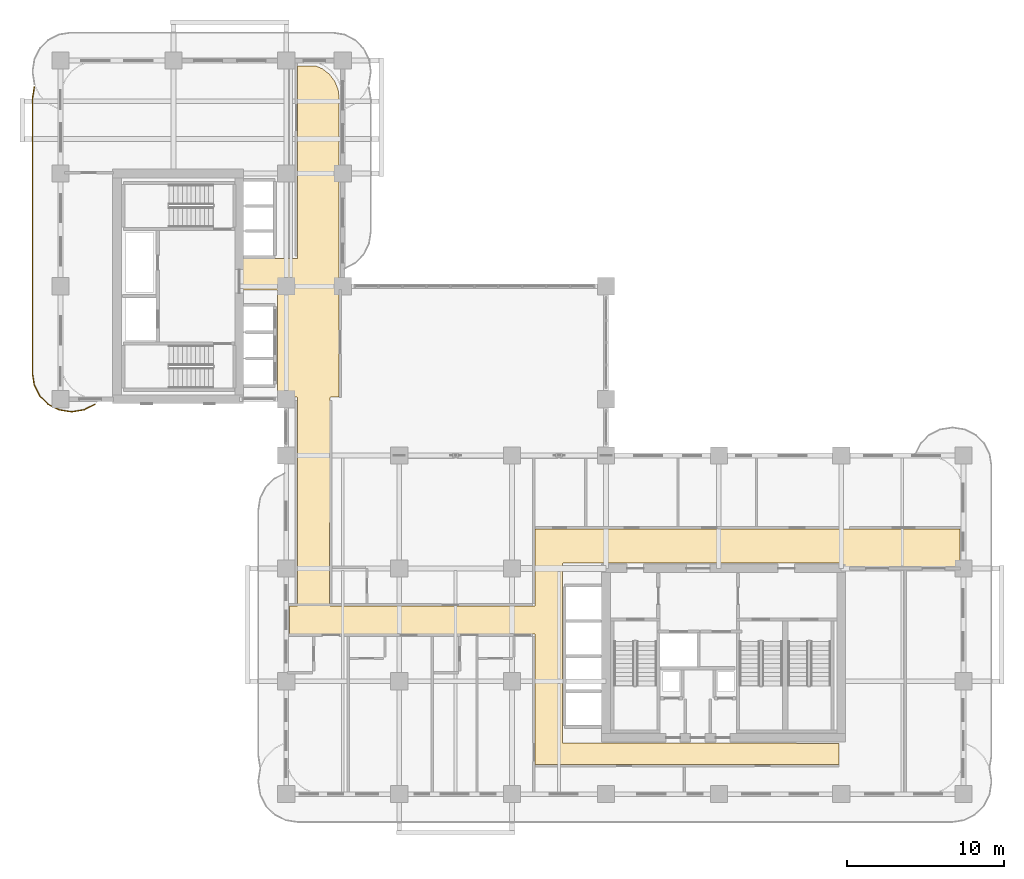
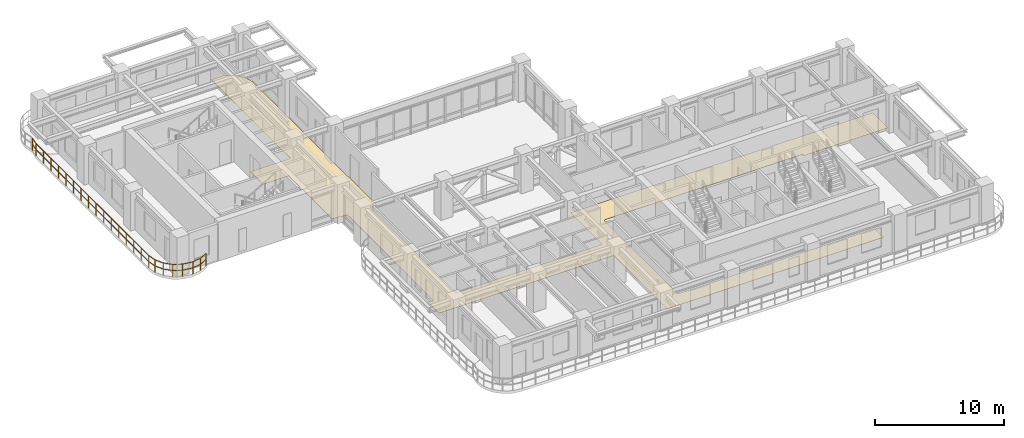
# One storey, part 20 of 21: 1 covering, 1 railing.
"""IFC4 building model written with IfcOpenShell, lengths in metres."""

from ifc_helpers import new_model, si_unit, derived_unit, direction, frame, origin, origin_2d, place, context, subcontext, project, spatial, polyline, rectangle, outline, extrude, material, layer, layer_set, type_object, element, save


model = new_model("IFC4")

# Units and contexts
model_context = context("Model", 3, precision=1e-05, world=origin(), true_north=direction((0.0, 1.0)))
body_context = subcontext(model_context, "Body", "Model", "MODEL_VIEW")
ifc_project = project(units=[si_unit("LENGTHUNIT", "METRE"), si_unit("AREAUNIT", "SQUARE_METRE"), si_unit("VOLUMEUNIT", "CUBIC_METRE"), si_unit("PLANEANGLEUNIT", "RADIAN"), si_unit("MASSUNIT", "GRAM", prefix="KILO"), si_unit("THERMODYNAMICTEMPERATUREUNIT", "KELVIN"), si_unit("POWERUNIT", "WATT"), derived_unit("THERMALTRANSMITTANCEUNIT", [(si_unit("POWERUNIT", "WATT"), 1), (si_unit("AREAUNIT", "SQUARE_METRE"), -1), (si_unit("THERMODYNAMICTEMPERATUREUNIT", "KELVIN"), -1)])], contexts=[model_context])

# Site, building, storey
site_placement = place(None, origin())
site = spatial("IfcSite", under=ifc_project, at=site_placement, CompositionType="ELEMENT")
building_placement = place(site_placement, origin())
building = spatial("IfcBuilding", under=site, at=building_placement, Name="Zahravan Archway Hotel and Residences", CompositionType="ELEMENT")
storey_placement = place(building_placement, frame((0.0, 0.0, 65.699951171875)))
storey = spatial("IfcBuildingStorey", under=building, at=storey_placement, Name="L15", CompositionType="ELEMENT", Elevation=65.699951171875)

# Covering
ifc_material_1 = material(Name="Engineered Walnut Parquet Flooring")
ifc_layer = layer(ifc_material_1, 0.02197265625, Name="Engineered Walnut Parquet Flooring")
ifc_layer_set = layer_set([ifc_layer], Name="Engineered Walnut Parquet Flooring")
covering_type = type_object("IfcCoveringType", Name="COV-FLR-TIMB", PredefinedType="FLOORING", material=ifc_layer_set)
covering_placement = place(storey_placement, origin())
element("IfcCovering", 1, at=covering_placement, inside=storey, type_object=covering_type, Name="L15 Circulation Floor Finish", PredefinedType="FLOORING", context=body_context, shape_type="SweptSolid", body=[
    extrude(outline(polyline([(49.830078125, 14.675048828125), (49.81640625, 14.719482421875), (49.780517578125, 14.748779296875), (32.10009765625, 14.7548828125), (32.0556640625, 14.741455078125), (32.026123046875, 14.70556640625), (32.02001953125, 3.324951171875), (32.033447265625, 3.280517578125), (32.0693359375, 3.251220703125), (49.669921875, 3.2451171875), (49.669921875, 1.8798828125), (30.280029296875, 1.8798828125), (30.280029296875, 10.14990234375), (30.2666015625, 10.1943359375), (30.230712890625, 10.223876953125), (14.6201171875, 10.22998046875), (14.6201171875, 11.989990234375), (15.050048828125, 11.989990234375), (15.094482421875, 12.00341796875), (15.123779296875, 12.039306640625), (15.1298828125, 25.25), (15.116455078125, 25.29443359375), (15.08056640625, 25.323974609375), (14.5771484375, 25.330078125), (14.53955078125, 25.3701171875), (14.503662109375, 25.39404296875), (14.4638671875, 25.410400390625), (14.421630859375, 25.4189453125), (13.830078125, 25.419921875), (13.830078125, 32.10009765625), (13.81640625, 32.144287109375), (13.780517578125, 32.173828125), (11.530029296875, 32.179931640625), (11.530029296875, 34.169921875), (15.050048828125, 34.169921875), (15.094482421875, 34.18359375), (15.123779296875, 34.219482421875), (15.1298828125, 46.469970703125), (16.24560546875, 46.469970703125), (16.689208984375, 46.286376953125), (17.14013671875, 45.940185546875), (17.486328125, 45.489013671875), (17.703857421875, 44.9638671875), (17.77001953125, 44.46142578125), (17.77001953125, 25.330078125), (17.25, 25.330078125), (17.20556640625, 25.31640625), (17.176025390625, 25.280517578125), (17.169921875, 12.070068359375), (17.18359375, 12.025634765625), (17.219482421875, 11.99609375), (30.199951171875, 11.989990234375), (30.244384765625, 12.00341796875), (30.27392578125, 12.039306640625), (30.280029296875, 16.919921875), (57.3798828125, 16.919921875), (57.3798828125, 14.530029296875), (49.830078125, 14.530029296875), (49.830078125, 14.675048828125)])), origin(), (0.0, 0.0, 1.0), 0.02197265625),
])

# Railing
ifc_material_2 = material(Name="Bronze & Laminated Glass Balustrade", Category="glass")
railing_type = type_object("IfcRailingType", Name="RL-BAL-1200", PredefinedType="BALUSTRADE", material=ifc_material_2)
railing_placement = place(storey_placement, frame((2.190185546875, 24.867919921875, 0.0)))
element("IfcRailing", 2, at=railing_placement, inside=storey, type_object=railing_type, Name="L15 Balustrade RL-SLB-BAL-L15-WB-1", PredefinedType="BALUSTRADE", context=body_context, shape_type="SweptSolid", body=[
    extrude(rectangle(XDim=0.048095703125, YDim=0.048095703125, at=origin_2d()), frame((0.0, 0.0, 1.17578125), z_axis=(-0.891090529897, -0.453825591531, 0.0), x_axis=(0.453825591531, -0.891090529897, 0.0)), (0.0, 0.0, 1.0), 0.7666015625),
    extrude(rectangle(XDim=0.048095703125, YDim=0.048095703125, at=origin_2d()), frame((0.0, 0.0, 0.60009765625), z_axis=(-0.891090529897, -0.453825591531, 0.0), x_axis=(0.453825591531, -0.891090529897, 0.0)), (0.0, 0.0, 1.0), 0.7666015625),
    extrude(rectangle(XDim=0.048095703125, YDim=0.048095703125, at=origin_2d()), frame((-0.68310546875, -0.347900390625, 1.17578125), z_axis=(-0.987646484274, -0.156698507018, 0.0), x_axis=(0.156698507018, -0.987646484274, 0.0)), (0.0, 0.0, 1.0), 0.7666015625),
    extrude(rectangle(XDim=0.048095703125, YDim=0.048095703125, at=origin_2d()), frame((-0.68310546875, -0.347900390625, 0.60009765625), z_axis=(-0.987646484274, -0.156698507018, 0.0), x_axis=(0.156698507018, -0.987646484274, 0.0)), (0.0, 0.0, 1.0), 0.7666015625),
    extrude(rectangle(XDim=0.048095703125, YDim=0.048095703125, at=origin_2d()), frame((-1.440185546875, -0.468017578125, 1.17578125), z_axis=(-1.0, 0.0, 0.0), x_axis=(0.0, -1.0, 0.0)), (0.0, 0.0, 1.0), 0.10009765625),
    extrude(rectangle(XDim=0.048095703125, YDim=0.048095703125, at=origin_2d()), frame((-1.440185546875, -0.468017578125, 0.60009765625), z_axis=(-1.0, 0.0, 0.0), x_axis=(0.0, -1.0, 0.0)), (0.0, 0.0, 1.0), 0.10009765625),
    extrude(rectangle(XDim=0.048095703125, YDim=0.048095703125, at=origin_2d()), frame((-1.540283203125, -0.468017578125, 1.17578125), z_axis=(-0.987646484274, 0.156698507018, 0.0), x_axis=(-0.156698507018, -0.987646484274, 0.0)), (0.0, 0.0, 1.0), 0.7666015625),
    extrude(rectangle(XDim=0.048095703125, YDim=0.048095703125, at=origin_2d()), frame((-1.540283203125, -0.468017578125, 0.60009765625), z_axis=(-0.987646484274, 0.156698507018, 0.0), x_axis=(-0.156698507018, -0.987646484274, 0.0)), (0.0, 0.0, 1.0), 0.7666015625),
    extrude(rectangle(XDim=0.048095703125, YDim=0.048095703125, at=origin_2d()), frame((-2.29736328125, -0.347900390625, 1.17578125), z_axis=(-0.891024909783, 0.453954414172, 0.0), x_axis=(-0.453954414172, -0.891024909783, 0.0)), (0.0, 0.0, 1.0), 0.766357421875),
    extrude(rectangle(XDim=0.048095703125, YDim=0.048095703125, at=origin_2d()), frame((-2.29736328125, -0.347900390625, 0.60009765625), z_axis=(-0.891024909783, 0.453954414172, 0.0), x_axis=(-0.453954414172, -0.891024909783, 0.0)), (0.0, 0.0, 1.0), 0.766357421875),
    extrude(rectangle(XDim=0.048095703125, YDim=0.048095703125, at=origin_2d()), frame((-2.980224609375, 0.0, 1.17578125), z_axis=(-0.707106781187, 0.707106781187, 0.0), x_axis=(-0.707106781187, -0.707106781187, 0.0)), (0.0, 0.0, 1.0), 0.7666015625),
    extrude(rectangle(XDim=0.048095703125, YDim=0.048095703125, at=origin_2d()), frame((-2.980224609375, 0.0, 0.60009765625), z_axis=(-0.707106781187, 0.707106781187, 0.0), x_axis=(-0.707106781187, -0.707106781187, 0.0)), (0.0, 0.0, 1.0), 0.7666015625),
    extrude(rectangle(XDim=0.048095703125, YDim=0.048095703125, at=origin_2d()), frame((-3.522216796875, 0.5419921875, 1.17578125), z_axis=(-0.454078418624, 0.890961721815, 0.0), x_axis=(-0.890961721815, -0.454078418624, 0.0)), (0.0, 0.0, 1.0), 0.7666015625),
    extrude(rectangle(XDim=0.048095703125, YDim=0.048095703125, at=origin_2d()), frame((-3.522216796875, 0.5419921875, 0.60009765625), z_axis=(-0.454078418624, 0.890961721815, 0.0), x_axis=(-0.890961721815, -0.454078418624, 0.0)), (0.0, 0.0, 1.0), 0.7666015625),
    extrude(rectangle(XDim=0.048095703125, YDim=0.048095703125, at=origin_2d()), frame((-3.870361328125, 1.22509765625, 1.17578125), z_axis=(-0.156387811283, 0.987695728695, 0.0), x_axis=(-0.987695728695, -0.156387811283, 0.0)), (0.0, 0.0, 1.0), 0.7666015625),
    extrude(rectangle(XDim=0.048095703125, YDim=0.048095703125, at=origin_2d()), frame((-3.870361328125, 1.22509765625, 0.60009765625), z_axis=(-0.156387811283, 0.987695728695, 0.0), x_axis=(-0.987695728695, -0.156387811283, 0.0)), (0.0, 0.0, 1.0), 0.7666015625),
    extrude(rectangle(XDim=0.048095703125, YDim=0.048095703125, at=origin_2d()), frame((-3.990234375, 1.982177734375, 1.17578125), z_axis=(0.0, 1.0, 0.0), x_axis=(-1.0, 0.0, 0.0)), (0.0, 0.0, 1.0), 17.5),
    extrude(rectangle(XDim=0.048095703125, YDim=0.048095703125, at=origin_2d()), frame((-3.990234375, 1.982177734375, 0.60009765625), z_axis=(0.0, 1.0, 0.0), x_axis=(-1.0, 0.0, 0.0)), (0.0, 0.0, 1.0), 17.5),
    extrude(rectangle(XDim=0.048095703125, YDim=0.048095703125, at=origin_2d()), frame((-3.990234375, 19.482177734375, 1.17578125), z_axis=(0.156387811283, 0.987695728695, 0.0), x_axis=(-0.987695728695, 0.156387811283, 0.0)), (0.0, 0.0, 1.0), 0.7666015625),
    extrude(rectangle(XDim=0.048095703125, YDim=0.048095703125, at=origin_2d()), frame((-3.990234375, 19.482177734375, 0.60009765625), z_axis=(0.156387811283, 0.987695728695, 0.0), x_axis=(-0.987695728695, 0.156387811283, 0.0)), (0.0, 0.0, 1.0), 0.7666015625),
    extrude(rectangle(XDim=0.0419921875, YDim=0.0419921875, at=origin_2d()), origin(), (0.0, 0.0, 1.0), 1.15185546875),
    extrude(rectangle(XDim=0.0419921875, YDim=0.0419921875, at=origin_2d()), frame((-0.68310546875, -0.347900390625, 0.0)), (0.0, 0.0, 1.0), 1.15185546875),
    extrude(rectangle(XDim=0.0419921875, YDim=0.0419921875, at=origin_2d()), frame((-1.440185546875, -0.468017578125, 0.0)), (0.0, 0.0, 1.0), 1.15185546875),
    extrude(rectangle(XDim=0.0419921875, YDim=0.0419921875, at=origin_2d()), frame((-2.29736328125, -0.347900390625, 0.0)), (0.0, 0.0, 1.0), 1.15185546875),
    extrude(rectangle(XDim=0.0419921875, YDim=0.0419921875, at=origin_2d()), frame((-2.980224609375, 0.0, 0.0)), (0.0, 0.0, 1.0), 1.15185546875),
    extrude(rectangle(XDim=0.0419921875, YDim=0.0419921875, at=origin_2d()), frame((-3.522216796875, 0.5419921875, 0.0)), (0.0, 0.0, 1.0), 1.15185546875),
    extrude(rectangle(XDim=0.0419921875, YDim=0.0419921875, at=origin_2d()), frame((-3.870361328125, 1.22509765625, 0.0)), (0.0, 0.0, 1.0), 1.15185546875),
    extrude(rectangle(XDim=0.0419921875, YDim=0.0419921875, at=origin_2d()), frame((-3.990234375, 1.982177734375, 0.0)), (0.0, 0.0, 1.0), 1.15185546875),
    extrude(rectangle(XDim=0.0419921875, YDim=0.0419921875, at=origin_2d()), frame((-3.990234375, 3.14892578125, 0.0)), (0.0, 0.0, 1.0), 1.15185546875),
    extrude(rectangle(XDim=0.0419921875, YDim=0.0419921875, at=origin_2d()), frame((-3.990234375, 4.3154296875, 0.0)), (0.0, 0.0, 1.0), 1.15185546875),
    extrude(rectangle(XDim=0.0419921875, YDim=0.0419921875, at=origin_2d()), frame((-3.990234375, 5.482177734375, 0.0)), (0.0, 0.0, 1.0), 1.15185546875),
    extrude(rectangle(XDim=0.0419921875, YDim=0.0419921875, at=origin_2d()), frame((-3.990234375, 6.64892578125, 0.0)), (0.0, 0.0, 1.0), 1.15185546875),
    extrude(rectangle(XDim=0.0419921875, YDim=0.0419921875, at=origin_2d()), frame((-3.990234375, 7.8154296875, 0.0)), (0.0, 0.0, 1.0), 1.15185546875),
    extrude(rectangle(XDim=0.0419921875, YDim=0.0419921875, at=origin_2d()), frame((-3.990234375, 8.982177734375, 0.0)), (0.0, 0.0, 1.0), 1.15185546875),
    extrude(rectangle(XDim=0.0419921875, YDim=0.0419921875, at=origin_2d()), frame((-3.990234375, 10.14892578125, 0.0)), (0.0, 0.0, 1.0), 1.15185546875),
    extrude(rectangle(XDim=0.0419921875, YDim=0.0419921875, at=origin_2d()), frame((-3.990234375, 11.3154296875, 0.0)), (0.0, 0.0, 1.0), 1.15185546875),
    extrude(rectangle(XDim=0.0419921875, YDim=0.0419921875, at=origin_2d()), frame((-3.990234375, 12.482177734375, 0.0)), (0.0, 0.0, 1.0), 1.15185546875),
    extrude(rectangle(XDim=0.0419921875, YDim=0.0419921875, at=origin_2d()), frame((-3.990234375, 13.64892578125, 0.0)), (0.0, 0.0, 1.0), 1.15185546875),
    extrude(rectangle(XDim=0.0419921875, YDim=0.0419921875, at=origin_2d()), frame((-3.990234375, 14.8154296875, 0.0)), (0.0, 0.0, 1.0), 1.15185546875),
    extrude(rectangle(XDim=0.0419921875, YDim=0.0419921875, at=origin_2d()), frame((-3.990234375, 15.982177734375, 0.0)), (0.0, 0.0, 1.0), 1.15185546875),
    extrude(rectangle(XDim=0.0419921875, YDim=0.0419921875, at=origin_2d()), frame((-3.990234375, 17.14892578125, 0.0)), (0.0, 0.0, 1.0), 1.15185546875),
    extrude(rectangle(XDim=0.0419921875, YDim=0.0419921875, at=origin_2d()), frame((-3.990234375, 18.3154296875, 0.0)), (0.0, 0.0, 1.0), 1.15185546875),
    extrude(rectangle(XDim=0.0419921875, YDim=0.0419921875, at=origin_2d()), frame((-3.990234375, 19.482177734375, 0.0)), (0.0, 0.0, 1.0), 1.15185546875),
    extrude(rectangle(XDim=0.0419921875, YDim=0.0419921875, at=origin_2d()), frame((-3.870361328125, 20.2392578125, 0.0)), (0.0, 0.0, 1.0), 1.15185546875),
])

save(model, "model.ifc")
